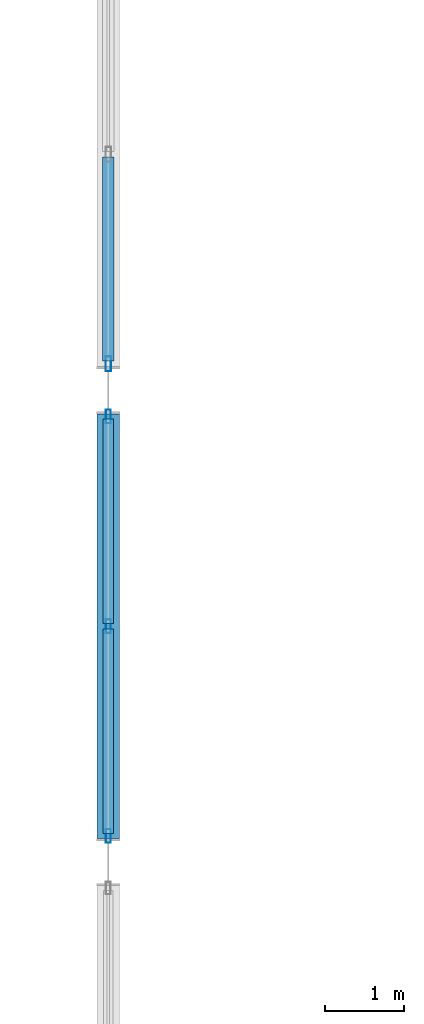
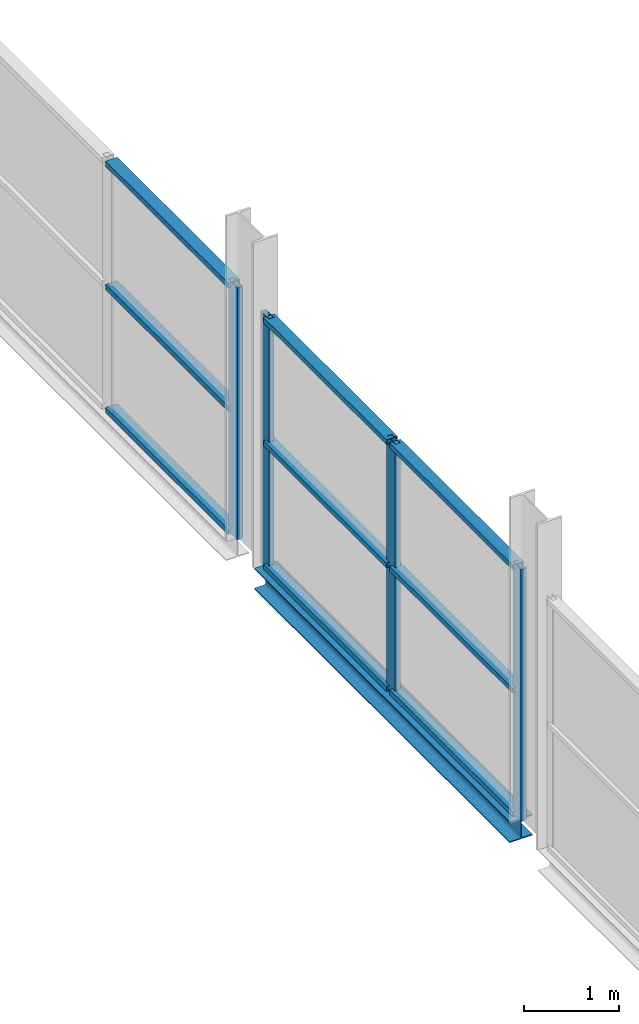
# One storey, part 24 of 135: 13 members, 1 beam, 2 elements without a shape of their own.
"""IFC4 building model written with IfcOpenShell, lengths in metres."""

from ifc_helpers import new_model, si_unit, direction, frame, origin, origin_2d, place, context, subcontext, project, spatial, hollow_rectangle, i_section, extrude, material, layer, layer_set, material_profile, profile_set, type_object, element, aggregate, save


model = new_model("IFC4")

# Units and contexts
model_context = context("Model", 3, precision=1e-05, world=origin(), true_north=direction((0.0, 1.0)))
body_context = subcontext(model_context, "Body", "Model", "MODEL_VIEW")
ifc_project = project(units=[si_unit("LENGTHUNIT", "METRE"), si_unit("AREAUNIT", "SQUARE_METRE"), si_unit("VOLUMEUNIT", "CUBIC_METRE"), si_unit("PLANEANGLEUNIT", "RADIAN"), si_unit("MASSUNIT", "GRAM", prefix="KILO")], contexts=[model_context])

# Site, building, storey
site_placement = place(None, origin())
site = spatial("IfcSite", under=ifc_project, at=site_placement, CompositionType="ELEMENT")
building_placement = place(site_placement, origin())
building = spatial("IfcBuilding", under=site, at=building_placement, Name="Deido Ridge Mobility Hub", CompositionType="ELEMENT")
storey_placement = place(building_placement, frame((0.0, 0.0, 4.199951171875)))
storey = spatial("IfcBuildingStorey", under=building, at=storey_placement, Name="L01", CompositionType="ELEMENT", Elevation=4.199951171875)

# Curtain wall, members
ifc_material_1 = material(Name="Anodised aluminium EN AW-6063 T6", Category="aluminium")
ifc_layer_1 = layer(ifc_material_1, 0.22509765625, Name="Anodised aluminium EN AW-6063 T6")
ifc_layer_set_1 = layer_set([ifc_layer_1], Name="Anodised aluminium EN AW-6063 T6")
curtain_wall_type_1 = type_object("IfcCurtainWallType", Name="CW-UF-5", PredefinedType="USERDEFINED", material=ifc_layer_set_1)
curtain_wall_1_placement = place(storey_placement, origin())
curtain_wall_1 = element("IfcCurtainWall", 1, at=curtain_wall_1_placement, inside=storey, type_object=curtain_wall_type_1, Name="Unitised curtain wall CW5", ObjectType="UNITISED FACADE", PredefinedType="USERDEFINED")
ifc_material_profile_1 = material_profile(ifc_material_1, hollow_rectangle(XDim=0.06494140625, YDim=0.175048828125, WallThickness=0.00390625, at=origin_2d()), Name="RHS 65x175x4")
ifc_profile_set_1 = profile_set([ifc_material_profile_1], Name="Anodised aluminium EN AW-6063 T6")
member_type_1 = type_object("IfcMemberType", Name="MEM-MUL-65X175", PredefinedType="MULLION", material=ifc_profile_set_1)
member_1_placement = place(storey_placement, frame((0.0, 6.33251953125, 0.0), z_axis=(0.0, 0.0, 1.0), x_axis=(-1.0, 0.0, 0.0)))
member_1 = element("IfcMember", 2, at=member_1_placement, type_object=member_type_1, Name="CW5 mullion 1", PredefinedType="MULLION", context=body_context, shape_type="SweptSolid", body=[
    extrude(hollow_rectangle(XDim=0.06494140625, YDim=0.175048828125, WallThickness=0.00390625, at=origin_2d()), origin(), (0.0, 0.0, 1.0), 3.25),
])
member_2_placement = place(storey_placement, frame((0.0, 9.0, 0.0), z_axis=(0.0, 0.0, 1.0), x_axis=(-1.0, 0.0, 0.0)))
member_2 = element("IfcMember", 3, at=member_2_placement, type_object=member_type_1, Name="CW5 mullion 2", PredefinedType="MULLION", context=body_context, shape_type="SweptSolid", body=[
    extrude(hollow_rectangle(XDim=0.06494140625, YDim=0.175048828125, WallThickness=0.00390625, at=origin_2d()), origin(), (0.0, 0.0, 1.0), 3.25),
])
member_3_placement = place(storey_placement, frame((0.0, 11.66748046875, 0.0), z_axis=(0.0, 0.0, 1.0), x_axis=(-1.0, 0.0, 0.0)))
member_3 = element("IfcMember", 4, at=member_3_placement, type_object=member_type_1, Name="CW5 mullion 3", PredefinedType="MULLION", context=body_context, shape_type="SweptSolid", body=[
    extrude(hollow_rectangle(XDim=0.06494140625, YDim=0.175048828125, WallThickness=0.00390625, at=origin_2d()), origin(), (0.0, 0.0, 1.0), 3.25),
])

# Curtain wall, member
ifc_layer_2 = layer(ifc_material_1, 0.239990234375, Name="Anodised aluminium EN AW-6063 T6")
ifc_layer_set_2 = layer_set([ifc_layer_2], Name="Anodised aluminium EN AW-6063 T6")
curtain_wall_type_2 = type_object("IfcCurtainWallType", Name="CW-UF-6", PredefinedType="USERDEFINED", material=ifc_layer_set_2)
curtain_wall_2_placement = place(storey_placement, origin())
curtain_wall_2 = element("IfcCurtainWall", 5, at=curtain_wall_2_placement, inside=storey, type_object=curtain_wall_type_2, Name="Unitised curtain wall CW6", ObjectType="UNITISED FACADE", PredefinedType="USERDEFINED")
ifc_material_profile_2 = material_profile(ifc_material_1, hollow_rectangle(XDim=0.070068359375, YDim=0.18994140625, WallThickness=0.00390625, at=origin_2d()), Name="RHS 70x190x4")
ifc_profile_set_2 = profile_set([ifc_material_profile_2], Name="Anodised aluminium EN AW-6063 T6")
member_type_2 = type_object("IfcMemberType", Name="MEM-MUL-70X190", PredefinedType="MULLION", material=ifc_profile_set_2)
member_4_placement = place(storey_placement, frame((0.0, 12.3349609375, 0.0), z_axis=(0.0, 0.0, 1.0), x_axis=(-1.0, 0.0, 0.0)))
member_4 = element("IfcMember", 6, at=member_4_placement, type_object=member_type_2, Name="CW6 mullion 1", PredefinedType="MULLION", context=body_context, shape_type="SweptSolid", body=[
    extrude(hollow_rectangle(XDim=0.070068359375, YDim=0.18994140625, WallThickness=0.00390625, at=origin_2d()), origin(), (0.0, 0.0, 1.0), 3.25),
])

# Member
ifc_material_profile_3 = material_profile(ifc_material_1, hollow_rectangle(XDim=0.135009765625, YDim=0.06494140625, WallThickness=0.00390625, at=origin_2d()), Name="RHS 135x65x4")
ifc_profile_set_3 = profile_set([ifc_material_profile_3], Name="Anodised aluminium EN AW-6063 T6")
member_type_3 = type_object("IfcMemberType", Name="MEM-TRN-135X65", PredefinedType="USERDEFINED", material=ifc_profile_set_3)
member_5_placement = place(storey_placement, frame((0.0, 6.364990234375, 0.032470703125), z_axis=(0.0, 1.0, 0.0), x_axis=(-1.0, 0.0, 0.0)))
member_5 = element("IfcMember", 7, at=member_5_placement, type_object=member_type_3, Name="CW5 transom 1.1", ObjectType="TRANSOM", PredefinedType="USERDEFINED", context=body_context, shape_type="SweptSolid", body=[
    extrude(hollow_rectangle(XDim=0.135009765625, YDim=0.06494140625, WallThickness=0.00390625, at=origin_2d()), origin(), (0.0, 0.0, 1.0), 2.6025390625),
])

member_6_placement = place(storey_placement, frame((0.0, 6.364990234375, 1.625), z_axis=(0.0, 1.0, 0.0), x_axis=(-1.0, 0.0, 0.0)))
member_6 = element("IfcMember", 8, at=member_6_placement, type_object=member_type_3, Name="CW5 transom 1.2", ObjectType="TRANSOM", PredefinedType="USERDEFINED", context=body_context, shape_type="SweptSolid", body=[
    extrude(hollow_rectangle(XDim=0.135009765625, YDim=0.06494140625, WallThickness=0.00390625, at=origin_2d()), origin(), (0.0, 0.0, 1.0), 2.6025390625),
])

member_7_placement = place(storey_placement, frame((0.0, 6.364990234375, 3.217529296875), z_axis=(0.0, 1.0, 0.0), x_axis=(-1.0, 0.0, 0.0)))
member_7 = element("IfcMember", 9, at=member_7_placement, type_object=member_type_3, Name="CW5 transom 1.3", ObjectType="TRANSOM", PredefinedType="USERDEFINED", context=body_context, shape_type="SweptSolid", body=[
    extrude(hollow_rectangle(XDim=0.135009765625, YDim=0.06494140625, WallThickness=0.00390625, at=origin_2d()), origin(), (0.0, 0.0, 1.0), 2.6025390625),
])

member_8_placement = place(storey_placement, frame((0.0, 9.032470703125, 0.032470703125), z_axis=(0.0, 1.0, 0.0), x_axis=(-1.0, 0.0, 0.0)))
member_8 = element("IfcMember", 10, at=member_8_placement, type_object=member_type_3, Name="CW5 transom 2.1", ObjectType="TRANSOM", PredefinedType="USERDEFINED", context=body_context, shape_type="SweptSolid", body=[
    extrude(hollow_rectangle(XDim=0.135009765625, YDim=0.06494140625, WallThickness=0.00390625, at=origin_2d()), origin(), (0.0, 0.0, 1.0), 2.6025390625),
])

member_9_placement = place(storey_placement, frame((0.0, 9.032470703125, 1.625), z_axis=(0.0, 1.0, 0.0), x_axis=(-1.0, 0.0, 0.0)))
member_9 = element("IfcMember", 11, at=member_9_placement, type_object=member_type_3, Name="CW5 transom 2.2", ObjectType="TRANSOM", PredefinedType="USERDEFINED", context=body_context, shape_type="SweptSolid", body=[
    extrude(hollow_rectangle(XDim=0.135009765625, YDim=0.06494140625, WallThickness=0.00390625, at=origin_2d()), origin(), (0.0, 0.0, 1.0), 2.6025390625),
])

member_10_placement = place(storey_placement, frame((0.0, 9.032470703125, 3.217529296875), z_axis=(0.0, 1.0, 0.0), x_axis=(-1.0, 0.0, 0.0)))
member_10 = element("IfcMember", 12, at=member_10_placement, type_object=member_type_3, Name="CW5 transom 2.3", ObjectType="TRANSOM", PredefinedType="USERDEFINED", context=body_context, shape_type="SweptSolid", body=[
    extrude(hollow_rectangle(XDim=0.135009765625, YDim=0.06494140625, WallThickness=0.00390625, at=origin_2d()), origin(), (0.0, 0.0, 1.0), 2.6025390625),
])

aggregate(curtain_wall_1, [member_1, member_2, member_3, member_5, member_6, member_7, member_8, member_9, member_10])

ifc_material_profile_4 = material_profile(ifc_material_1, hollow_rectangle(XDim=0.14501953125, YDim=0.070068359375, WallThickness=0.00390625, at=origin_2d()), Name="RHS 145x70x4")
ifc_profile_set_4 = profile_set([ifc_material_profile_4], Name="Anodised aluminium EN AW-6063 T6")
member_type_4 = type_object("IfcMemberType", Name="MEM-TRN-145X70", PredefinedType="USERDEFINED", material=ifc_profile_set_4)
member_11_placement = place(storey_placement, frame((0.0, 12.3701171875, 0.03515625), z_axis=(0.0, 1.0, 0.0), x_axis=(-1.0, 0.0, 0.0)))
member_11 = element("IfcMember", 13, at=member_11_placement, type_object=member_type_4, Name="CW6 transom 1.1", ObjectType="TRANSOM", PredefinedType="USERDEFINED", context=body_context, shape_type="SweptSolid", body=[
    extrude(hollow_rectangle(XDim=0.14501953125, YDim=0.070068359375, WallThickness=0.00390625, at=origin_2d()), origin(), (0.0, 0.0, 1.0), 2.594970703125),
])

member_12_placement = place(storey_placement, frame((0.0, 12.3701171875, 1.625), z_axis=(0.0, 1.0, 0.0), x_axis=(-1.0, 0.0, 0.0)))
member_12 = element("IfcMember", 14, at=member_12_placement, type_object=member_type_4, Name="CW6 transom 1.2", ObjectType="TRANSOM", PredefinedType="USERDEFINED", context=body_context, shape_type="SweptSolid", body=[
    extrude(hollow_rectangle(XDim=0.14501953125, YDim=0.070068359375, WallThickness=0.00390625, at=origin_2d()), origin(), (0.0, 0.0, 1.0), 2.594970703125),
])

member_13_placement = place(storey_placement, frame((0.0, 12.3701171875, 3.215087890625), z_axis=(0.0, 1.0, 0.0), x_axis=(-1.0, 0.0, 0.0)))
member_13 = element("IfcMember", 15, at=member_13_placement, type_object=member_type_4, Name="CW6 transom 1.3", ObjectType="TRANSOM", PredefinedType="USERDEFINED", context=body_context, shape_type="SweptSolid", body=[
    extrude(hollow_rectangle(XDim=0.14501953125, YDim=0.070068359375, WallThickness=0.00390625, at=origin_2d()), origin(), (0.0, 0.0, 1.0), 2.594970703125),
])

aggregate(curtain_wall_2, [member_4, member_11, member_12, member_13])

# Beam
ifc_material_2 = material(Name="Steel S355J2 EN 10025-2", Category="steel")
ifc_material_profile_5 = material_profile(ifc_material_2, i_section(OverallWidth=0.280029296875, OverallDepth=0.27001953125, WebThickness=0.008056640625, FlangeThickness=0.012939453125, FilletRadius=0.02392578125, at=origin_2d()), Name="HEA 280")
ifc_profile_set_5 = profile_set([ifc_material_profile_5], Name="Steel S355J2 EN 10025-2")
beam_type = type_object("IfcBeamType", Name="SPD-HEA280", PredefinedType="SPANDREL", material=ifc_profile_set_5)
beam_placement = place(storey_placement, frame((0.0, 6.300048828125, -0.135009765625), z_axis=(0.0, 1.0, 0.0), x_axis=(-1.0, 0.0, 0.0)))
element("IfcBeam", 16, at=beam_placement, inside=storey, type_object=beam_type, Name="Concourse perimeter wind girt SP2", PredefinedType="SPANDREL", context=body_context, shape_type="SweptSolid", body=[
    extrude(i_section(OverallWidth=0.280029296875, OverallDepth=0.27001953125, WebThickness=0.008056640625, FlangeThickness=0.012939453125, FilletRadius=0.02392578125, at=origin_2d()), origin(), (0.0, 0.0, 1.0), 5.39990234375),
])

save(model, "model.ifc")
